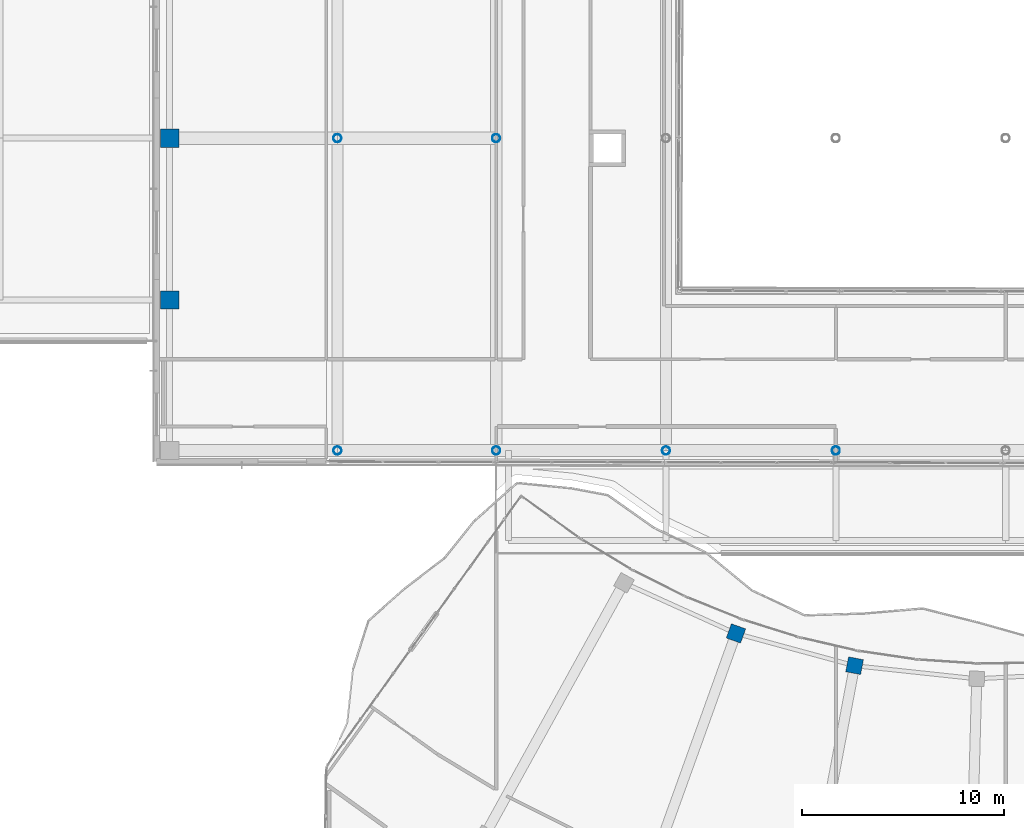
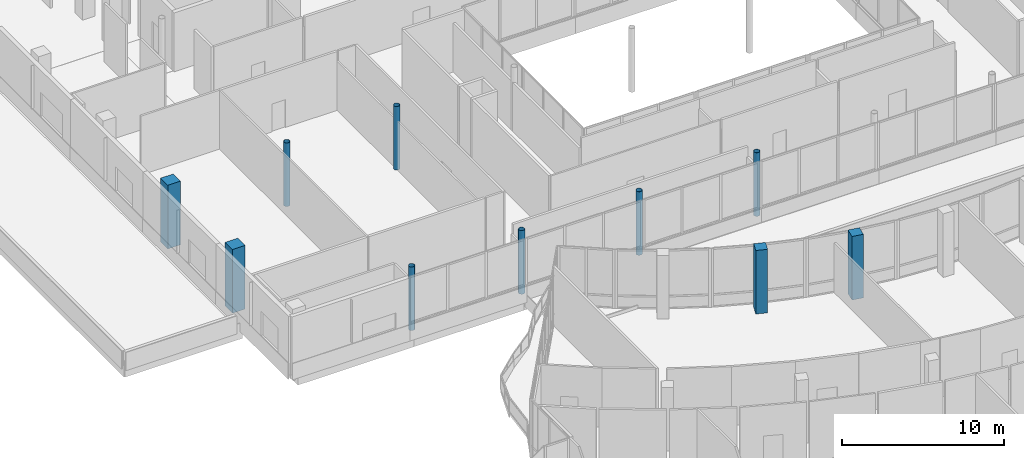
# One storey, part 2 of 168: 10 columns.
"""IFC4 building model written with IfcOpenShell, lengths in metres."""

from ifc_helpers import new_model, si_unit, direction, frame, origin, origin_2d, place, context, subcontext, project, spatial, rectangle, hollow_circle, extrude, material, material_profile, profile_set, type_object, element, save


model = new_model("IFC4")

# Units and contexts
model_context = context("Model", 3, precision=1e-05, world=origin(), true_north=direction((0.0, 1.0)))
body_context = subcontext(model_context, "Body", "Model", "MODEL_VIEW")
ifc_project = project(units=[si_unit("LENGTHUNIT", "METRE"), si_unit("AREAUNIT", "SQUARE_METRE"), si_unit("VOLUMEUNIT", "CUBIC_METRE"), si_unit("PLANEANGLEUNIT", "RADIAN"), si_unit("MASSUNIT", "GRAM", prefix="KILO")], contexts=[model_context])

# Site, building, storey
site_placement = place(None, origin())
site = spatial("IfcSite", under=ifc_project, at=site_placement, CompositionType="ELEMENT")
building_placement = place(site_placement, origin())
building = spatial("IfcBuilding", under=site, at=building_placement, Name="Selatvlak General Hospital", CompositionType="ELEMENT")
storey_placement = place(building_placement, frame((0.0, 0.0, 5.39990234375)))
storey = spatial("IfcBuildingStorey", under=building, at=storey_placement, Name="L01", CompositionType="ELEMENT", Elevation=5.39990234375)

# Columns
ifc_material_1 = material(Name="Steel S355", Category="steel")
ifc_material_profile_1 = material_profile(ifc_material_1, hollow_circle(Radius=0.203125, WallThickness=0.01611328125, at=origin_2d()), Name="CHS 406.4x16")
ifc_profile_set_1 = profile_set([ifc_material_profile_1], Name="Steel S355")
column_type_1 = type_object("IfcColumnType", Name="COL-CHS406", PredefinedType="COLUMN", material=ifc_profile_set_1)
for number, where, z_axis, x_axis, name in (
    (1, (23.35009765625, 52.550048828125, 0.0), (0.0, 0.0, 1.0), (1.0, 0.0, 0.0), "Column 001 on L01"),
    (2, (23.35009765625, 68.0, 0.0), (0.0, 0.0, 1.0), (1.0, 0.0, 0.0), "Column 002 on L01"),
    (3, (31.199951171875, 52.550048828125, 0.0), (0.0, 0.0, 1.0), (1.0, 0.0, 0.0), "Column 004 on L01"),
    (4, (31.199951171875, 68.0, 0.0), (0.0, 0.0, 1.0), (1.0, 0.0, 0.0), "Column 005 on L01"),
    (5, (39.60009765625, 52.550048828125, 0.0), (0.0, 0.0, 1.0), (1.0, 0.0, 0.0), "Column 007 on L01"),
    (6, (48.0, 52.550048828125, 0.0), (0.0, 0.0, 1.0), (1.0, 0.0, 0.0), "Column 010 on L01"),
):
    element("IfcColumn", number, at=place(storey_placement, frame(where, z_axis=z_axis, x_axis=x_axis)), inside=storey, type_object=column_type_1, Name=name, PredefinedType="COLUMN", context=body_context, shape_type="SweptSolid", body=[
        extrude(hollow_circle(Radius=0.203125, WallThickness=0.01611328125, at=origin_2d()), origin(), (0.0, 0.0, 1.0), 4.800048828125),
    ])
ifc_material_2 = material(Name="Concrete C50/60", Category="concrete")
ifc_material_profile_2 = material_profile(ifc_material_2, rectangle(XDim=0.75, YDim=0.75, at=origin_2d()), Name="RC-COL 750x750")
ifc_profile_set_2 = profile_set([ifc_material_profile_2], Name="Concrete C50/60")
column_type_2 = type_object("IfcColumnType", Name="COL-RC75", PredefinedType="COLUMN", material=ifc_profile_set_2)
for number, where, z_axis, x_axis, name in (
    (7, (43.05908203125, 43.506103515625, 0.0), (0.0, 0.0, 1.0), (0.338261654325, 0.941052099096, 0.0), "Column 316 on L01"),
    (8, (48.924072265625, 41.909912109375, 0.0), (0.0, 0.0, 1.0), (0.184997729111, 0.982738948156, 0.0), "Column 319 on L01"),
):
    element("IfcColumn", number, at=place(storey_placement, frame(where, z_axis=z_axis, x_axis=x_axis)), inside=storey, type_object=column_type_2, Name=name, PredefinedType="COLUMN", context=body_context, shape_type="SweptSolid", body=[
        extrude(rectangle(XDim=0.75, YDim=0.75, at=origin_2d()), origin(), (0.0, 0.0, 1.0), 4.800048828125),
    ])
ifc_material_profile_3 = material_profile(ifc_material_2, rectangle(XDim=0.89990234375, YDim=0.89990234375, at=origin_2d()), Name="RC-COL 900x900")
ifc_profile_set_3 = profile_set([ifc_material_profile_3], Name="Concrete C50/60")
column_type_3 = type_object("IfcColumnType", Name="COL-RC90", PredefinedType="COLUMN", material=ifc_profile_set_3)
for number, where, z_axis, x_axis, name in (
    (9, (15.050048828125, 60.0, 0.0), (0.0, 0.0, 1.0), (1.0, 0.0, 0.0), "Column 062 on L01"),
    (10, (15.050048828125, 68.0, 0.0), (0.0, 0.0, 1.0), (1.0, 0.0, 0.0), "Column 064 on L01"),
):
    element("IfcColumn", number, at=place(storey_placement, frame(where, z_axis=z_axis, x_axis=x_axis)), inside=storey, type_object=column_type_3, Name=name, PredefinedType="COLUMN", context=body_context, shape_type="SweptSolid", body=[
        extrude(rectangle(XDim=0.89990234375, YDim=0.89990234375, at=origin_2d()), origin(), (0.0, 0.0, 1.0), 4.800048828125),
    ])

save(model, "model.ifc")
